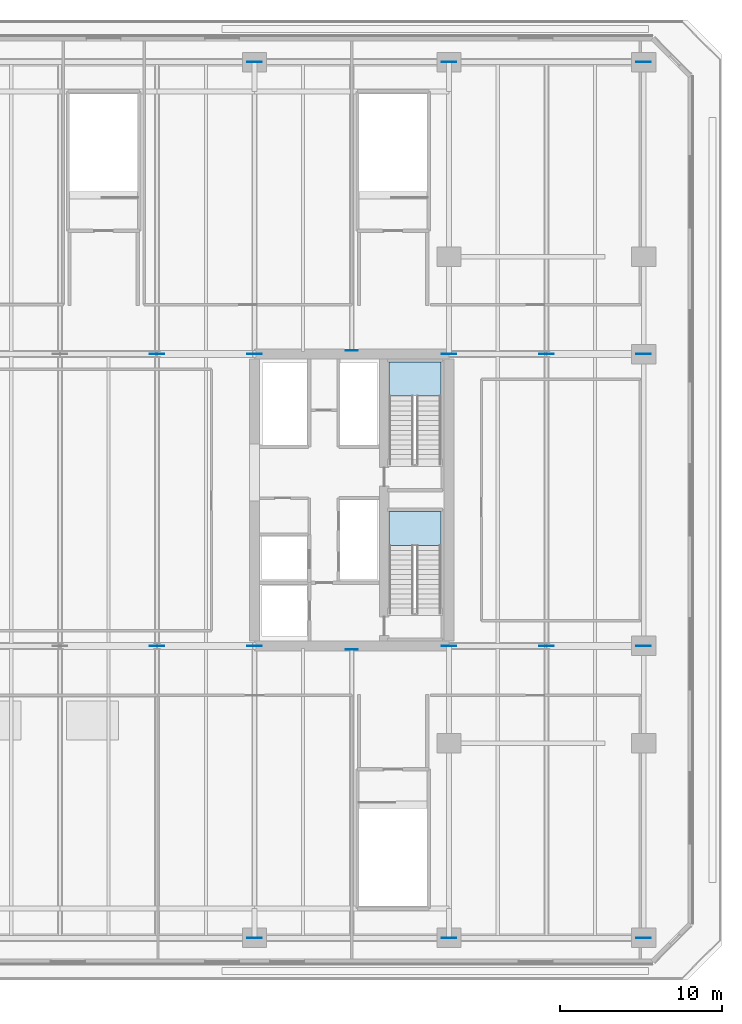
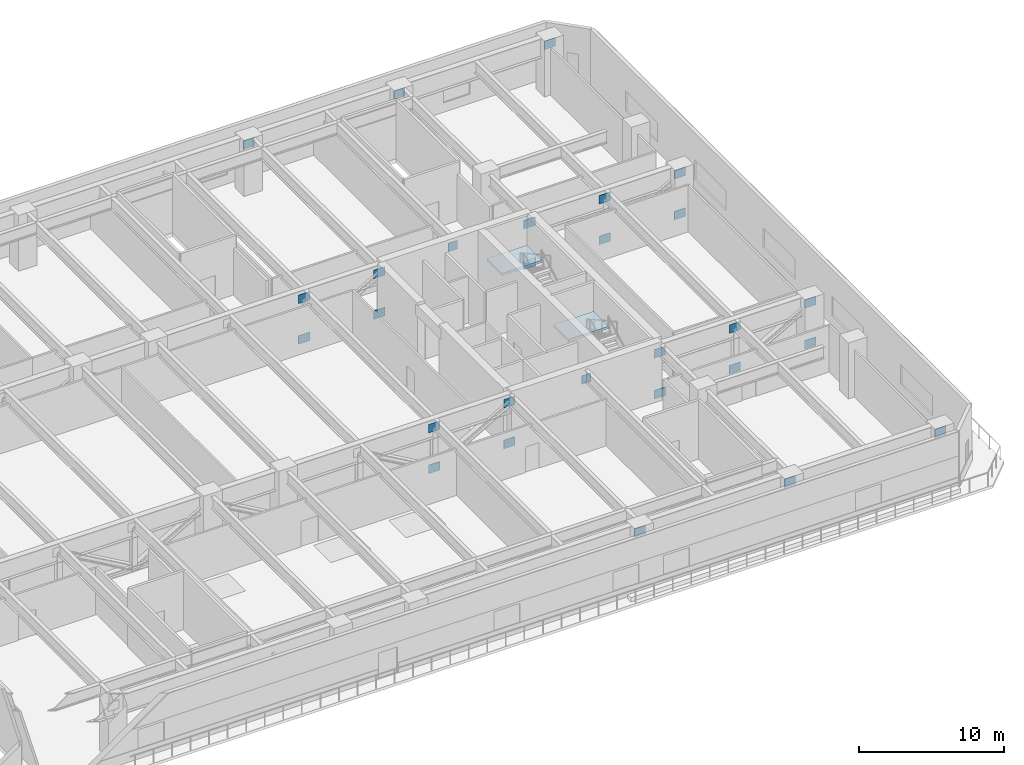
# One storey, part 8 of 25: 28 plates, 2 slabs, 2 elements without a shape of their own.
"""IFC4 building model written with IfcOpenShell, lengths in metres."""

from ifc_helpers import new_model, si_unit, direction, frame, origin, origin_2d, place, context, subcontext, project, spatial, polyline, rectangle, outline, extrude, material, layer, layer_set, type_object, element, aggregate, save


model = new_model("IFC4")

# Units and contexts
model_context = context("Model", 3, precision=1e-05, world=origin(), true_north=direction((0.0, 1.0)))
body_context = subcontext(model_context, "Body", "Model", "MODEL_VIEW")
ifc_project = project(units=[si_unit("LENGTHUNIT", "METRE"), si_unit("AREAUNIT", "SQUARE_METRE"), si_unit("VOLUMEUNIT", "CUBIC_METRE"), si_unit("PLANEANGLEUNIT", "RADIAN"), si_unit("MASSUNIT", "GRAM", prefix="KILO")], contexts=[model_context])

# Site, building, storey
site_placement = place(None, origin())
site = spatial("IfcSite", under=ifc_project, at=site_placement, CompositionType="ELEMENT")
building_placement = place(site_placement, origin())
building = spatial("IfcBuilding", under=site, at=building_placement, Name="Tanjung Sevakor Pilgrim Tower", CompositionType="ELEMENT")
storey_placement = place(building_placement, frame((0.0, 0.0, 24.090087890625)))
storey = spatial("IfcBuildingStorey", under=building, at=storey_placement, Name="L06", CompositionType="ELEMENT", Elevation=24.090087890625)

# Plates
ifc_material_1 = material(Name="Steel S460M", Category="steel")
ifc_layer_1 = layer(ifc_material_1, 0.0400390625)
ifc_layer_set_1 = layer_set([ifc_layer_1], Name="PL-GUSSET-40")
plate_type = type_object("IfcPlateType", Name="PL-GUSSET-40", PredefinedType="USERDEFINED", material=ifc_layer_set_1)
for number, where, z_axis, x_axis, name in (
    (1, (78.0, 6.60009765625, 3.52490234375), (0.0, 0.0, 1.0), (1.0, 0.0, 0.0), "L06 Core Wall Cast-In Embed Plate 006"),
    (2, (90.0, 6.60009765625, 3.52490234375), (0.0, 0.0, 1.0), (1.0, 0.0, 0.0), "L06 Core Wall Cast-In Embed Plate 007"),
    (3, (102.0, 6.60009765625, 3.52490234375), (0.0, 0.0, 1.0), (1.0, 0.0, 0.0), "L06 Core Wall Cast-In Embed Plate 008"),
    (4, (78.0, 24.60009765625, 3.52490234375), (0.0, 0.0, 1.0), (1.0, 0.0, 0.0), "L06 Core Wall Cast-In Embed Plate 019"),
    (5, (78.0, 24.60009765625, 0.08984375), (0.0, 0.0, 1.0), (1.0, 0.0, 0.0), "L06 Core Wall Cast-In Embed Plate 020"),
    (6, (90.0, 24.60009765625, 3.52490234375), (0.0, 0.0, 1.0), (1.0, 0.0, 0.0), "L06 Core Wall Cast-In Embed Plate 021"),
    (7, (102.0, 24.60009765625, 3.52490234375), (0.0, 0.0, 1.0), (1.0, 0.0, 0.0), "L06 Core Wall Cast-In Embed Plate 022"),
    (8, (90.0, 24.60009765625, 0.08984375), (0.0, 0.0, 1.0), (1.0, 0.0, 0.0), "L06 Core Wall Cast-In Embed Plate 023"),
    (9, (102.0, 24.60009765625, 0.08984375), (0.0, 0.0, 1.0), (1.0, 0.0, 0.0), "L06 Core Wall Cast-In Embed Plate 024"),
    (10, (72.0, 24.60009765625, 0.08984375), (0.0, 0.0, 1.0), (1.0, 0.0, 0.0), "L06 Transfer Gusset Plate 033"),
    (11, (72.0, 24.60009765625, 3.52490234375), (0.0, 0.0, 1.0), (1.0, 0.0, 0.0), "L06 Transfer Gusset Plate 034"),
    (12, (96.0, 24.60009765625, 0.08984375), (0.0, 0.0, 1.0), (1.0, 0.0, 0.0), "L06 Transfer Gusset Plate 035"),
    (13, (96.0, 24.60009765625, 3.52490234375), (0.0, 0.0, 1.0), (1.0, 0.0, 0.0), "L06 Transfer Gusset Plate 036"),
    (14, (78.0, 42.60009765625, 3.52490234375), (0.0, 0.0, 1.0), (1.0, 0.0, 0.0), "L06 Core Wall Cast-In Embed Plate 047"),
    (15, (78.0, 42.60009765625, 0.08984375), (0.0, 0.0, 1.0), (1.0, 0.0, 0.0), "L06 Core Wall Cast-In Embed Plate 048"),
    (16, (90.0, 42.60009765625, 3.52490234375), (0.0, 0.0, 1.0), (1.0, 0.0, 0.0), "L06 Core Wall Cast-In Embed Plate 049"),
    (17, (102.0, 42.60009765625, 3.52490234375), (0.0, 0.0, 1.0), (1.0, 0.0, 0.0), "L06 Core Wall Cast-In Embed Plate 050"),
    (18, (90.0, 42.60009765625, 0.08984375), (0.0, 0.0, 1.0), (1.0, 0.0, 0.0), "L06 Core Wall Cast-In Embed Plate 051"),
    (19, (102.0, 42.60009765625, 0.08984375), (0.0, 0.0, 1.0), (1.0, 0.0, 0.0), "L06 Core Wall Cast-In Embed Plate 052"),
    (20, (72.0, 42.60009765625, 0.08984375), (0.0, 0.0, 1.0), (1.0, 0.0, 0.0), "L06 Transfer Gusset Plate 061"),
    (21, (72.0, 42.60009765625, 3.52490234375), (0.0, 0.0, 1.0), (1.0, 0.0, 0.0), "L06 Transfer Gusset Plate 062"),
    (22, (96.0, 42.60009765625, 0.08984375), (0.0, 0.0, 1.0), (1.0, 0.0, 0.0), "L06 Transfer Gusset Plate 063"),
    (23, (96.0, 42.60009765625, 3.52490234375), (0.0, 0.0, 1.0), (1.0, 0.0, 0.0), "L06 Transfer Gusset Plate 064"),
    (24, (78.0, 60.60009765625, 3.52490234375), (0.0, 0.0, 1.0), (1.0, 0.0, 0.0), "L06 Core Wall Cast-In Embed Plate 070"),
    (25, (90.0, 60.60009765625, 3.52490234375), (0.0, 0.0, 1.0), (1.0, 0.0, 0.0), "L06 Core Wall Cast-In Embed Plate 071"),
    (26, (102.0, 60.60009765625, 3.52490234375), (0.0, 0.0, 1.0), (1.0, 0.0, 0.0), "L06 Core Wall Cast-In Embed Plate 072"),
):
    element("IfcPlate", number, at=place(storey_placement, frame(where, z_axis=z_axis, x_axis=x_axis)), inside=storey, type_object=plate_type, Name=name, ObjectType="GUSSET PLATE", PredefinedType="USERDEFINED", context=body_context, shape_type="SweptSolid", body=[
        extrude(rectangle(XDim=0.89990234375, YDim=0.0400390625, at=origin_2d()), origin(), (0.0, 0.0, 1.0), 0.719970703125),
    ])
for number, where, z_axis, x_axis, name in (
    (27, (84.0, 24.375, 3.52490234375), (0.0, 0.0, 1.0), (1.0, 0.0, 0.0), "L06 Core Wall Cast-In Embed Plate 075"),
    (28, (84.0, 42.824951171875, 3.52490234375), (0.0, 0.0, 1.0), (1.0, 0.0, 0.0), "L06 Core Wall Cast-In Embed Plate 076"),
):
    element("IfcPlate", number, at=place(storey_placement, frame(where, z_axis=z_axis, x_axis=x_axis)), inside=storey, type_object=plate_type, Name=name, ObjectType="GUSSET PLATE", PredefinedType="USERDEFINED", context=body_context, shape_type="SweptSolid", body=[
        extrude(rectangle(XDim=0.719970703125, YDim=0.0400390625, at=origin_2d()), origin(), (0.0, 0.0, 1.0), 0.719970703125),
    ])

# Stair, slab
ifc_material_2 = material(Name="Concrete C40/50", Category="concrete")
stair_type = type_object("IfcStairType", Name="STAIR-ST-CR150", PredefinedType="HALF_TURN_STAIR", material=ifc_material_2)
stair_1_placement = place(storey_placement, origin())
stair_1 = element("IfcStair", 29, at=stair_1_placement, inside=storey, type_object=stair_type, Name="L06 East Core Exit Stair 1", PredefinedType="HALF_TURN_STAIR")
ifc_material_3 = material(Name="Concrete C40/50", Category="concrete")
ifc_layer_2 = layer(ifc_material_3, 0.199951171875)
ifc_layer_set_2 = layer_set([ifc_layer_2], Name="SL-LAND-200")
slab_type = type_object("IfcSlabType", Name="SL-LAND-200", PredefinedType="LANDING", material=ifc_layer_set_2)
slab_1_placement = place(storey_placement, frame((0.0, 0.0, 2.27490234375)))
slab_1 = element("IfcSlab", 30, at=slab_1_placement, type_object=slab_type, Name="TS-E1 landing 1", PredefinedType="LANDING", context=body_context, shape_type="SweptSolid", body=[
    extrude(outline(polyline([(89.5, 30.800048828125), (89.5, 32.89990234375), (86.300048828125, 32.89990234375), (86.300048828125, 30.800048828125), (89.5, 30.800048828125)])), origin(), (0.0, 0.0, 1.0), 0.199951171875),
])
aggregate(stair_1, [slab_1])

stair_2_placement = place(storey_placement, origin())
stair_2 = element("IfcStair", 31, at=stair_2_placement, inside=storey, type_object=stair_type, Name="L06 East Core Exit Stair 2", PredefinedType="HALF_TURN_STAIR")
slab_2_placement = place(storey_placement, frame((0.0, 0.0, 2.27490234375)))
slab_2 = element("IfcSlab", 32, at=slab_2_placement, type_object=slab_type, Name="TS-E2 landing 1", PredefinedType="LANDING", context=body_context, shape_type="SweptSolid", body=[
    extrude(outline(polyline([(89.5, 40.0), (89.5, 42.10009765625), (86.300048828125, 42.10009765625), (86.300048828125, 40.0), (89.5, 40.0)])), origin(), (0.0, 0.0, 1.0), 0.199951171875),
])
aggregate(stair_2, [slab_2])

save(model, "model.ifc")
